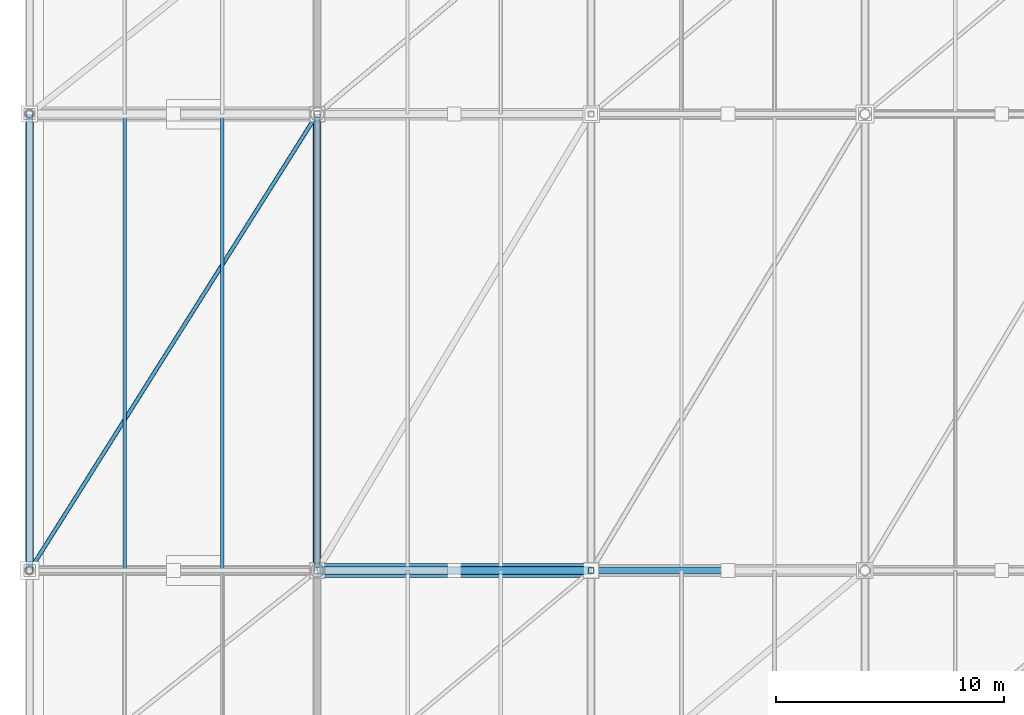
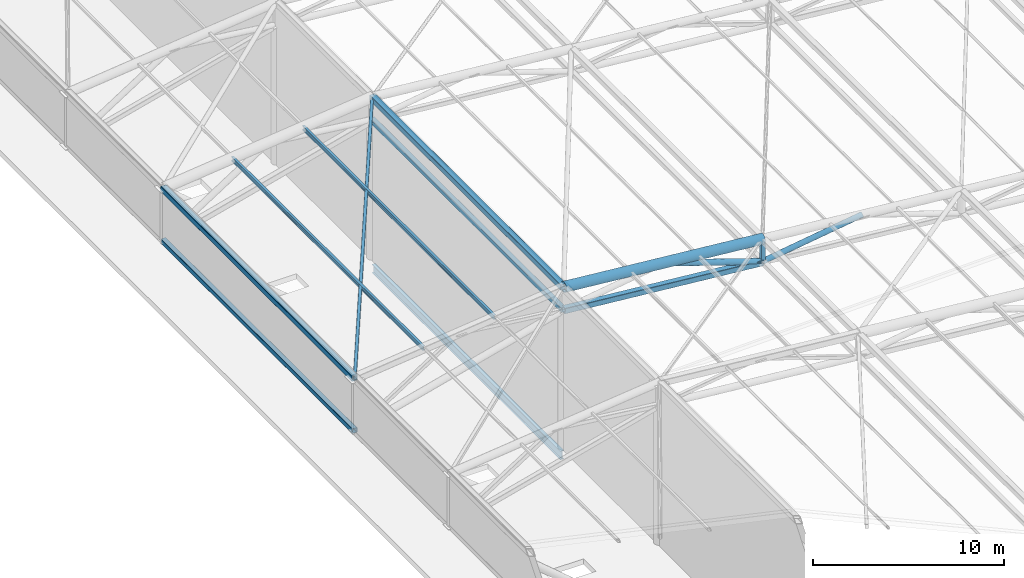
# One storey, part 13 of 44: 12 members, 1 beam.
"""IFC4 building model written with IfcOpenShell, lengths in metres."""

import ifcopenshell
import ifcopenshell.guid

model = None  # the IFC model being written
_history = None  # IfcOwnerHistory: only IFC2X3 demands one
_inside = {}  # id of a spatial element -> (the spatial element, [elements in it])
_under = {}  # id of a project, library or spatial element -> (it, [spatial elements below it])
_declared = {}  # id of a project -> (the project, [libraries it declares])
_typed = {}  # id of a type object -> (the type object, [elements of that type])
_made_of = {}  # id of a material, layer set ... -> (it, [elements and type objects made of it])


def new_model(schema):
    """Start an empty IFC model of exactly this schema.

    Asked for "IFC4X3", IfcOpenShell would pick the latest addendum, in which some entities
    have other attributes; the version numbers below select the first issue.
    IFC2X3 requires an IfcOwnerHistory on every rooted entity: one is made here for all.
    """
    global model, _history
    if schema == "IFC4X3":
        model = ifcopenshell.file(schema_version=(4, 3, 0, 0))
    else:
        model = ifcopenshell.file(schema=schema)
    _inside.clear()
    _under.clear()
    _declared.clear()
    _typed.clear()
    _made_of.clear()
    _history = None
    if model.schema == "IFC2X3":
        org = make("IfcOrganization", Name="unknown")
        user = make(
            "IfcPersonAndOrganization",
            ThePerson=make("IfcPerson", FamilyName="unknown"),
            TheOrganization=org,
        )
        app = make(
            "IfcApplication",
            ApplicationDeveloper=org,
            Version="unknown",
            ApplicationFullName="unknown",
            ApplicationIdentifier="unknown",
        )
        _history = make(
            "IfcOwnerHistory",
            OwningUser=user,
            OwningApplication=app,
            ChangeAction="ADDED",
            CreationDate=0,
        )
    return model


def make(cls, **values):
    """One entity of the class cls with the attributes given. An attribute that is None is left unset."""
    return model.create_entity(
        cls, **{name: value for name, value in values.items() if value is not None}
    )


def rooted(cls, **values):
    """An entity with a GlobalId (a new one), such as an element, a storey or a relation."""
    return make(cls, GlobalId=ifcopenshell.guid.new(), OwnerHistory=_history, **values)


def si_unit(unit_type, name, prefix=None):
    """IfcSIUnit, for example si_unit("LENGTHUNIT", "METRE", prefix="MILLI")."""
    return make("IfcSIUnit", UnitType=unit_type, Prefix=prefix, Name=name)


def assignment(units):
    """IfcUnitAssignment: the units of a project."""
    return None if units is None else make("IfcUnitAssignment", Units=units)


def point(xyz):
    """IfcCartesianPoint."""
    return None if xyz is None else make("IfcCartesianPoint", Coordinates=xyz)


def direction(xyz):
    """IfcDirection."""
    return None if xyz is None else make("IfcDirection", DirectionRatios=xyz)


def frame(location, z_axis=None, x_axis=None):
    """IfcAxis2Placement3D, a coordinate frame: its origin and axes. An axis left out is left unset."""
    return make(
        "IfcAxis2Placement3D",
        Location=point(location),
        Axis=direction(z_axis),
        RefDirection=direction(x_axis),
    )


def frame_2d(location, x_axis=None):
    """IfcAxis2Placement2D, a coordinate frame in the plane: its origin and x axis."""
    return make(
        "IfcAxis2Placement2D", Location=point(location), RefDirection=direction(x_axis)
    )


def origin():
    """The frame at (0, 0, 0) with its axes left unset."""
    return frame((0.0, 0.0, 0.0))


def origin_2d():
    """The frame at (0, 0) in the plane with its x axis left unset."""
    return frame_2d((0.0, 0.0))


def place(relative_to, where):
    """IfcLocalPlacement: puts the frame where relative to a parent placement (None: the world)."""
    return make(
        "IfcLocalPlacement", PlacementRelTo=relative_to, RelativePlacement=where
    )


def context(
    kind, dimensions, precision=None, world=None, true_north=None, identifier=None
):
    """IfcGeometricRepresentationContext, for example the 3D "Model" context."""
    return make(
        "IfcGeometricRepresentationContext",
        ContextIdentifier=identifier,
        ContextType=kind,
        CoordinateSpaceDimension=dimensions,
        Precision=precision,
        WorldCoordinateSystem=world,
        TrueNorth=true_north,
    )


def subcontext(parent, identifier, kind, view, scale=None):
    """IfcGeometricRepresentationSubContext, for example "Body" below "Model"."""
    return make(
        "IfcGeometricRepresentationSubContext",
        ContextIdentifier=identifier,
        ContextType=kind,
        ParentContext=parent,
        TargetScale=scale,
        TargetView=view,
    )


def project(units=None, contexts=None):
    """IfcProject with its units and contexts."""
    return rooted(
        "IfcProject",
        Name="project",
        RepresentationContexts=contexts,
        UnitsInContext=assignment(units),
    )


def spatial(cls, under=None, at=None, **own):
    """A site, building, storey or space (cls), placed at a placement, below another one or the project."""
    s = rooted(cls, ObjectPlacement=at, **own)
    if under is not None:
        _under.setdefault(under.id(), (under, []))[1].append(s)
    return s


def profile(cls, at=None, kind="AREA", **sizes):
    """A parametric profile (cls). Its sizes go by their IFC names, for example OverallWidth=200.0."""
    return make(cls, ProfileType=kind, Position=at, **sizes)


def hollow_rectangle(**sizes):
    """IfcRectangleHollowProfileDef."""
    return profile("IfcRectangleHollowProfileDef", **sizes)


def hollow_circle(**sizes):
    """IfcCircleHollowProfileDef."""
    return profile("IfcCircleHollowProfileDef", **sizes)


def i_section(**sizes):
    """IfcIShapeProfileDef."""
    return profile("IfcIShapeProfileDef", **sizes)


def extrude(swept, where, along, depth):
    """IfcExtrudedAreaSolid: the profile swept, set in the frame where, extruded along a direction by depth."""
    return make(
        "IfcExtrudedAreaSolid",
        SweptArea=swept,
        Position=where,
        ExtrudedDirection=direction(along),
        Depth=depth,
    )


def shape(context_of_items, identifier, shape_type, items):
    """IfcShapeRepresentation: the items that make up one representation, for example the "Body"."""
    return make(
        "IfcShapeRepresentation",
        ContextOfItems=context_of_items,
        RepresentationIdentifier=identifier,
        RepresentationType=shape_type,
        Items=items,
    )


def material(Name=None, Category=None):
    """IfcMaterial."""
    return make("IfcMaterial", Name=Name, Category=Category)


def material_profile(
    of_material, cross_section, Name=None, Category=None, Priority=None
):
    """IfcMaterialProfile: a cross section and its material."""
    return make(
        "IfcMaterialProfile",
        Name=Name,
        Material=of_material,
        Profile=cross_section,
        Priority=Priority,
        Category=Category,
    )


def profile_set(profiles, Name=None, composite=None):
    """IfcMaterialProfileSet."""
    return make(
        "IfcMaterialProfileSet",
        Name=Name,
        MaterialProfiles=profiles,
        CompositeProfile=composite,
    )


def made_of(thing, what):
    """Note that an element or type object is made of a material, layer set ...; save() writes the relation."""
    if what is not None:
        _made_of.setdefault(what.id(), (what, []))[1].append(thing)
    return thing


def type_object(cls, material=None, **own):
    """A type object (cls), such as IfcWallType, which elements share."""
    return made_of(rooted(cls, **own), material)


def element(
    cls,
    number,
    at=None,
    inside=None,
    cuts=None,
    type_object=None,
    material=None,
    context=None,
    identifier="Body",
    shape_type=None,
    held_by="IfcProductDefinitionShape",
    body=None,
    shapes=None,
    **own,
):
    """One element of the class cls, such as IfcWall. Its Tag is "e" and its number.

    at: its placement. inside: the storey or other place that contains it. cuts: it is an
    opening in that element (IfcRelVoidsElement). A single representation is given by context,
    identifier, shape_type and body (its items); several are given by shapes. held_by: the class
    of the entity that holds the representations. save() writes the other relations.
    """
    e = rooted(cls, Tag="e%d" % number, ObjectPlacement=at, **own)
    if body is not None:
        shapes = [shape(context, identifier, shape_type, body)]
    if shapes is not None:
        e.Representation = make(held_by, Representations=shapes)
    if inside is not None:
        _inside.setdefault(inside.id(), (inside, []))[1].append(e)
    if cuts is not None:
        rooted(
            "IfcRelVoidsElement", RelatingBuildingElement=cuts, RelatedOpeningElement=e
        )
    if type_object is not None:
        _typed.setdefault(type_object.id(), (type_object, []))[1].append(e)
    return made_of(e, material)


def aggregate(whole, parts):
    """IfcRelAggregates: a whole, such as a stair, and the parts it consists of."""
    return rooted("IfcRelAggregates", RelatingObject=whole, RelatedObjects=parts)


def save(model, path):
    """Write the relations noted so far, then the file.

    IfcRelAggregates (storeys below a building ...), IfcRelContainedInSpatialStructure (elements
    in a storey), IfcRelDefinesByType, IfcRelAssociatesMaterial and IfcRelDeclares: one each for
    every whole, place, type object, material and project.
    """
    for whole, parts in _under.values():
        aggregate(whole, parts)
    for where, things in _inside.values():
        rooted(
            "IfcRelContainedInSpatialStructure",
            RelatedElements=things,
            RelatingStructure=where,
        )
    for kind, things in _typed.values():
        rooted("IfcRelDefinesByType", RelatedObjects=things, RelatingType=kind)
    for what, things in _made_of.values():
        rooted("IfcRelAssociatesMaterial", RelatedObjects=things, RelatingMaterial=what)
    for by, libraries in _declared.values():
        rooted("IfcRelDeclares", RelatingContext=by, RelatedDefinitions=libraries)
    model.write(path)


model = new_model("IFC4")

# Units and contexts
model_context = context("Model", 3, precision=1e-05, world=origin(), true_north=direction((0.0, 1.0)))
body_context = subcontext(model_context, "Body", "Model", "MODEL_VIEW")
ifc_project = project(units=[si_unit("LENGTHUNIT", "METRE"), si_unit("AREAUNIT", "SQUARE_METRE"), si_unit("VOLUMEUNIT", "CUBIC_METRE"), si_unit("PLANEANGLEUNIT", "RADIAN"), si_unit("MASSUNIT", "GRAM", prefix="KILO")], contexts=[model_context])

# Site, building, storey
site_placement = place(None, origin())
site = spatial("IfcSite", under=ifc_project, at=site_placement, CompositionType="ELEMENT")
building_placement = place(site_placement, origin())
building = spatial("IfcBuilding", under=site, at=building_placement, Name="Brinegate Civic Arena", CompositionType="ELEMENT")
storey_placement = place(building_placement, frame((0.0, 0.0, 29.39990234375)))
storey = spatial("IfcBuildingStorey", under=building, at=storey_placement, Name="RF", CompositionType="ELEMENT", Elevation=29.39990234375)

# Members
ifc_material = material(Name="Steel S355", Category="steel")
ifc_material_profile_1 = material_profile(ifc_material, i_section(OverallWidth=0.14794921875, OverallDepth=0.26611328125, WebThickness=0.008056640625, FlangeThickness=0.012939453125, FilletRadius=0.011962890625, at=origin_2d()), Name="W250X45")
ifc_profile_set_1 = profile_set([ifc_material_profile_1], Name="Steel S355")
member_type_1 = type_object("IfcMemberType", Name="RF-PURLIN-W250", PredefinedType="PURLIN", material=ifc_profile_set_1)
for number, where, z_axis, x_axis, name in (
    (1, (51.55810546875, 52.0, 9.593994140625), (0.0, 1.0, 0.0), (-1.0, 0.0, 0.0), "Roof Purlin RFP-055"),
    (2, (55.842041015625, 52.0, 10.070068359375), (0.0, 1.0, 0.0), (-1.0, 0.0, 0.0), "Roof Purlin RFP-056"),
):
    element("IfcMember", number, at=place(storey_placement, frame(where, z_axis=z_axis, x_axis=x_axis)), inside=storey, type_object=member_type_1, Name=name, PredefinedType="PURLIN", context=body_context, shape_type="SweptSolid", body=[
        extrude(i_section(OverallWidth=0.14794921875, OverallDepth=0.26611328125, WebThickness=0.008056640625, FlangeThickness=0.012939453125, FilletRadius=0.011962890625, at=origin_2d()), origin(), (0.0, 0.0, 1.0), 20.0),
    ])
ifc_material_profile_2 = material_profile(ifc_material, hollow_circle(Radius=0.162109375, WallThickness=0.011962890625, at=origin_2d()), Name="CHS324X12")
ifc_profile_set_2 = profile_set([ifc_material_profile_2], Name="Steel S355")
member_type_2 = type_object("IfcMemberType", Name="SF-BRACE-CHS324", PredefinedType="BRACE", material=ifc_profile_set_2)
member_1_placement = place(storey_placement, frame((72.0, 52.0, 7.97509765625), z_axis=(0.989226142737, 0.0, 0.1463954867), x_axis=(0.0, 1.0, 0.0)))
element("IfcMember", 3, at=member_1_placement, inside=storey, type_object=member_type_2, Name="Space Frame Web Brace D1-4-3", PredefinedType="BRACE", context=body_context, shape_type="SweptSolid", body=[
    extrude(hollow_circle(Radius=0.162109375, WallThickness=0.011962890625, at=origin_2d()), origin(), (0.0, 0.0, 1.0), 6.0654296875),
])
ifc_material_profile_3 = material_profile(ifc_material, hollow_circle(Radius=0.177978515625, WallThickness=0.013916015625, at=origin_2d()), Name="CHS356X14")
ifc_profile_set_3 = profile_set([ifc_material_profile_3], Name="Steel S355")
member_type_3 = type_object("IfcMemberType", Name="SF-BRACE-CHS356", PredefinedType="BRACE", material=ifc_profile_set_3)
member_2_placement = place(storey_placement, frame((66.0, 52.0, 9.988037109375), z_axis=(0.948068139281, 0.0, -0.318067293635), x_axis=(0.0, 1.0, 0.0)))
element("IfcMember", 4, at=member_2_placement, inside=storey, type_object=member_type_3, Name="Space Frame Web Brace D2-4-2", PredefinedType="BRACE", context=body_context, shape_type="SweptSolid", body=[
    extrude(hollow_circle(Radius=0.177978515625, WallThickness=0.013916015625, at=origin_2d()), origin(), (0.0, 0.0, 1.0), 6.32861328125),
])
ifc_material_profile_4 = material_profile(ifc_material, hollow_rectangle(XDim=0.179931640625, YDim=0.179931640625, WallThickness=0.010009765625, InnerFilletRadius=0.010009765625, OuterFilletRadius=0.02001953125, at=origin_2d()), Name="SHS180X10")
ifc_profile_set_4 = profile_set([ifc_material_profile_4], Name="Steel S355")
member_type_4 = type_object("IfcMemberType", Name="SF-BRACE-SHS180", PredefinedType="BRACE", material=ifc_profile_set_4)
member_3_placement = place(storey_placement, frame((47.39990234375, 52.0, 9.150146484375), z_axis=(0.532108308847, 0.844609817105, 0.059118563126), x_axis=(-0.846089654824, 0.533040613836, 0.0)))
element("IfcMember", 5, at=member_3_placement, inside=storey, type_object=member_type_4, Name="Roof Plan Diagonal Brace PL-4-1", PredefinedType="BRACE", context=body_context, shape_type="SweptSolid", body=[
    extrude(hollow_rectangle(XDim=0.179931640625, YDim=0.179931640625, WallThickness=0.010009765625, InnerFilletRadius=0.010009765625, OuterFilletRadius=0.02001953125, at=origin_2d()), origin(), (0.0, 0.0, 1.0), 23.6796875),
])
ifc_material_profile_5 = material_profile(ifc_material, hollow_circle(Radius=0.304931640625, WallThickness=0.02490234375, at=origin_2d()), Name="CHS610X25")
ifc_profile_set_5 = profile_set([ifc_material_profile_5], Name="Steel S355")
member_type_5 = type_object("IfcMemberType", Name="SF-CHORD-CHS610", PredefinedType="CHORD", material=ifc_profile_set_5)
member_4_placement = place(storey_placement, frame((60.0, 52.0, 10.550048828125), z_axis=(0.995634226059, 0.0, -0.093340708693), x_axis=(0.0, 1.0, 0.0)))
element("IfcMember", 6, at=member_4_placement, inside=storey, type_object=member_type_5, Name="Space Frame Top Chord TX-4-2", PredefinedType="CHORD", context=body_context, shape_type="SweptSolid", body=[
    extrude(hollow_circle(Radius=0.304931640625, WallThickness=0.02490234375, at=origin_2d()), origin(), (0.0, 0.0, 1.0), 12.052734375),
])
ifc_material_profile_6 = material_profile(ifc_material, hollow_rectangle(XDim=0.300048828125, YDim=0.300048828125, WallThickness=0.01611328125, InnerFilletRadius=0.01611328125, OuterFilletRadius=0.031982421875, at=origin_2d()), Name="SHS300X16")
ifc_profile_set_6 = profile_set([ifc_material_profile_6], Name="Steel S355")
member_type_6 = type_object("IfcMemberType", Name="SF-CHORD-SHS300", PredefinedType="CHORD", material=ifc_profile_set_6)
for number, where, z_axis, x_axis, name in (
    (7, (47.39990234375, 52.0, 5.800048828125), (0.0, 1.0, 0.0), (-1.0, 0.0, 0.0), "Space Frame Cross Bottom Chord BY-4-1"),
    (8, (60.0, 52.0, 9.10009765625), (0.0, 1.0, 0.0), (-1.0, 0.0, 0.0), "Space Frame Cross Bottom Chord BY-4-2"),
):
    element("IfcMember", number, at=place(storey_placement, frame(where, z_axis=z_axis, x_axis=x_axis)), inside=storey, type_object=member_type_6, Name=name, PredefinedType="CHORD", context=body_context, shape_type="SweptSolid", body=[
        extrude(hollow_rectangle(XDim=0.300048828125, YDim=0.300048828125, WallThickness=0.01611328125, InnerFilletRadius=0.01611328125, OuterFilletRadius=0.031982421875, at=origin_2d()), origin(), (0.0, 0.0, 1.0), 20.0),
    ])
ifc_material_profile_7 = material_profile(ifc_material, hollow_rectangle(XDim=0.35009765625, YDim=0.35009765625, WallThickness=0.01611328125, InnerFilletRadius=0.01611328125, OuterFilletRadius=0.031982421875, at=origin_2d()), Name="SHS350X16")
ifc_profile_set_7 = profile_set([ifc_material_profile_7], Name="Steel S355")
member_type_7 = type_object("IfcMemberType", Name="SF-CHORD-SHS350", PredefinedType="CHORD", material=ifc_profile_set_7)
member_5_placement = place(storey_placement, frame((60.0, 52.0, 9.10009765625), z_axis=(0.995634226059, 0.0, -0.093340708693), x_axis=(0.0, 1.0, 0.0)))
element("IfcMember", 9, at=member_5_placement, inside=storey, type_object=member_type_7, Name="Space Frame Bottom Chord BX-4-2", PredefinedType="CHORD", context=body_context, shape_type="SweptSolid", body=[
    extrude(hollow_rectangle(XDim=0.35009765625, YDim=0.35009765625, WallThickness=0.01611328125, InnerFilletRadius=0.01611328125, OuterFilletRadius=0.031982421875, at=origin_2d()), origin(), (0.0, 0.0, 1.0), 12.052734375),
])
for number, where, z_axis, x_axis, name in (
    (10, (47.39990234375, 52.0, 9.150146484375), (0.0, 1.0, 0.0), (-1.0, 0.0, 0.0), "Space Frame Cross Top Chord TY-4-1"),
    (11, (60.0, 52.0, 10.550048828125), (0.0, 1.0, 0.0), (-1.0, 0.0, 0.0), "Space Frame Cross Top Chord TY-4-2"),
):
    element("IfcMember", number, at=place(storey_placement, frame(where, z_axis=z_axis, x_axis=x_axis)), inside=storey, type_object=member_type_7, Name=name, PredefinedType="CHORD", context=body_context, shape_type="SweptSolid", body=[
        extrude(hollow_rectangle(XDim=0.35009765625, YDim=0.35009765625, WallThickness=0.01611328125, InnerFilletRadius=0.01611328125, OuterFilletRadius=0.031982421875, at=origin_2d()), origin(), (0.0, 0.0, 1.0), 20.0),
    ])
ifc_material_profile_8 = material_profile(ifc_material, hollow_rectangle(XDim=0.25, YDim=0.25, WallThickness=0.011962890625, InnerFilletRadius=0.011962890625, OuterFilletRadius=0.02392578125, at=origin_2d()), Name="SHS250X12")
ifc_profile_set_8 = profile_set([ifc_material_profile_8], Name="Steel S355")
member_type_8 = type_object("IfcMemberType", Name="SF-STRUT-SHS250", PredefinedType="STRUT", material=ifc_profile_set_8)
member_6_placement = place(storey_placement, frame((72.0, 52.0, 7.97509765625), z_axis=(0.0, 0.0, 1.0), x_axis=(1.0, 0.0, 0.0)))
element("IfcMember", 12, at=member_6_placement, inside=storey, type_object=member_type_8, Name="Space Frame Vertical Post V-4-3", PredefinedType="STRUT", context=body_context, shape_type="SweptSolid", body=[
    extrude(hollow_rectangle(XDim=0.25, YDim=0.25, WallThickness=0.011962890625, InnerFilletRadius=0.011962890625, OuterFilletRadius=0.02392578125, at=origin_2d()), origin(), (0.0, 0.0, 1.0), 1.449951171875),
])

# Beam
ifc_material_profile_9 = material_profile(ifc_material, i_section(OverallWidth=0.2119140625, OverallDepth=0.5439453125, WebThickness=0.012939453125, FlangeThickness=0.02099609375, FilletRadius=0.01611328125, at=origin_2d()), Name="W530X123")
ifc_profile_set_9 = profile_set([ifc_material_profile_9], Name="Steel S355")
beam_type = type_object("IfcBeamType", Name="SPANDREL-W530X123", PredefinedType="SPANDREL", material=ifc_profile_set_9)
beam_placement = place(storey_placement, frame((60.0, 52.14990234375, -0.27197265625), z_axis=(0.0, 1.0, 0.0), x_axis=(-1.0, 0.0, 0.0)))
element("IfcBeam", 13, at=beam_placement, inside=storey, type_object=beam_type, Name="West Drum Crown Ring Beam WDRM-4", PredefinedType="SPANDREL", context=body_context, shape_type="SweptSolid", body=[
    extrude(i_section(OverallWidth=0.2119140625, OverallDepth=0.5439453125, WebThickness=0.012939453125, FlangeThickness=0.02099609375, FilletRadius=0.01611328125, at=origin_2d()), origin(), (0.0, 0.0, 1.0), 19.7001953125),
])

save(model, "model.ifc")
